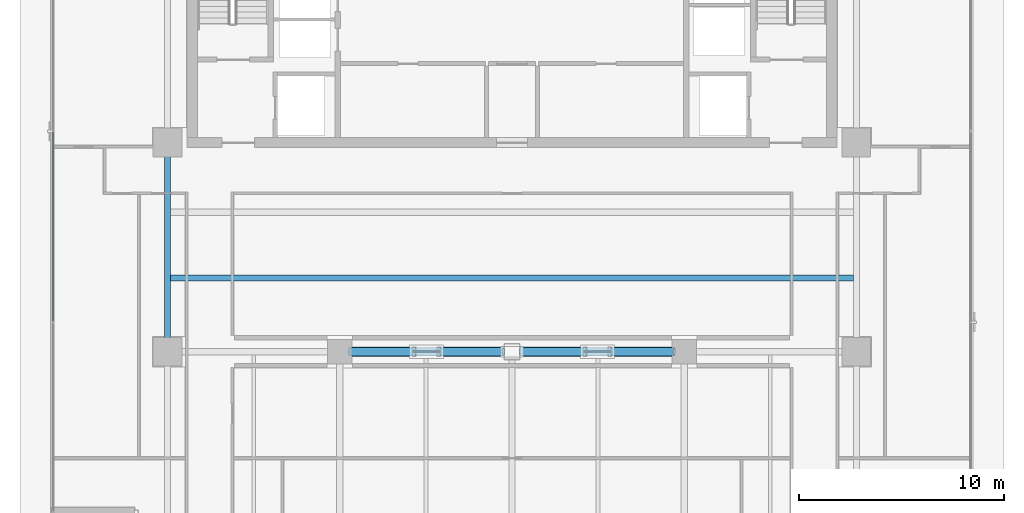
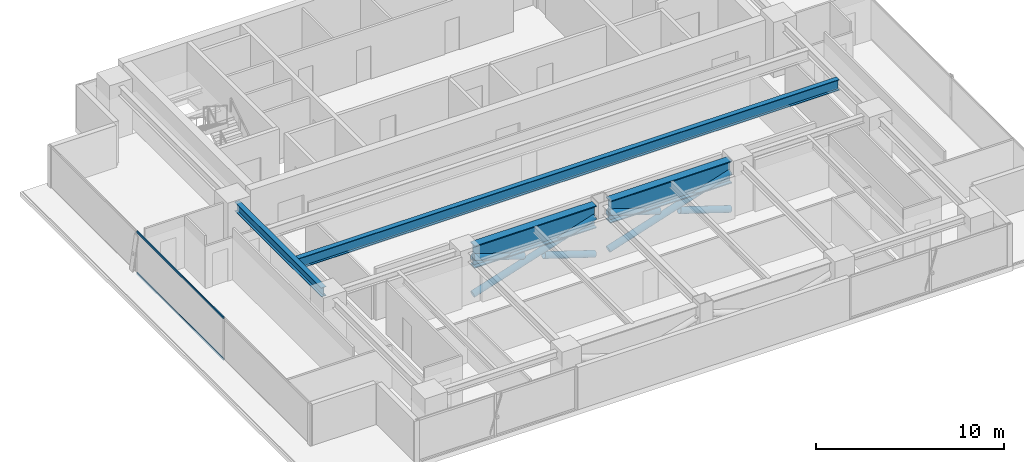
# One storey, part 7 of 27: 8 members, 4 beams, 1 element without a shape of its own.
"""IFC4 building model written with IfcOpenShell, lengths in metres."""

from ifc_helpers import new_model, si_unit, direction, frame, origin, origin_2d, place, context, subcontext, project, spatial, hollow_rectangle, hollow_circle, i_section, extrude, source, transform, mapped, material, layer, layer_set, material_profile, profile_set, type_object, element, aggregate, save


model = new_model("IFC4")

# Units and contexts
model_context = context("Model", 3, precision=1e-05, world=origin(), true_north=direction((0.0, 1.0)))
body_context = subcontext(model_context, "Body", "Model", "MODEL_VIEW")
ifc_project = project(units=[si_unit("LENGTHUNIT", "METRE"), si_unit("AREAUNIT", "SQUARE_METRE"), si_unit("VOLUMEUNIT", "CUBIC_METRE"), si_unit("PLANEANGLEUNIT", "RADIAN"), si_unit("MASSUNIT", "GRAM", prefix="KILO")], contexts=[model_context])

# Site, building, storey
site_placement = place(None, origin())
site = spatial("IfcSite", under=ifc_project, at=site_placement, CompositionType="ELEMENT")
building_placement = place(site_placement, origin())
building = spatial("IfcBuilding", under=site, at=building_placement, Name="Sumidabori Civic Tower", CompositionType="ELEMENT")
storey_placement = place(building_placement, frame((0.0, 0.0, 228.800048828125)))
storey = spatial("IfcBuildingStorey", under=building, at=storey_placement, Name="L59", CompositionType="ELEMENT", Elevation=228.800048828125)

# Beams
ifc_material_1 = material(Name="Steel SN490", Category="steel")
ifc_material_profile_1 = material_profile(ifc_material_1, i_section(OverallWidth=0.300048828125, OverallDepth=0.60009765625, WebThickness=0.015380859375, FlangeThickness=0.030029296875, at=origin_2d()), Name="HE 600 B")
ifc_profile_set_1 = profile_set([ifc_material_profile_1], Name="Steel SN490")
beam_type_1 = type_object("IfcBeamType", Name="BM-GIRD-600", PredefinedType="BEAM", material=ifc_profile_set_1)
shared_shape_1 = source(origin(), body_context, "Body", "SweptSolid", [
    extrude(i_section(OverallWidth=0.300048828125, OverallDepth=0.60009765625, WebThickness=0.015380859375, FlangeThickness=0.030029296875, at=origin_2d()), origin(), (0.0, 0.0, 1.0), 9.239990234375),
])
beam_1_placement = place(storey_placement, frame((-16.800048828125, 0.47998046875, 3.070068359375), z_axis=(0.0, 1.0, 0.0), x_axis=(-1.0, 0.0, 0.0)))
element("IfcBeam", 1, at=beam_1_placement, inside=storey, type_object=beam_type_1, Name="Primary Girder L59 GY-06", PredefinedType="BEAM", context=body_context, shape_type="MappedRepresentation", body=[
    mapped(shared_shape_1, transform((0.0, 0.0, 0.0), x_axis=(1.0, 0.0, 0.0), y_axis=(0.0, 1.0, 0.0), z_axis=(0.0, 0.0, 1.0), scale=1.0)),
])
ifc_material_profile_2 = material_profile(ifc_material_1, i_section(OverallWidth=0.300048828125, OverallDepth=0.699951171875, WebThickness=0.01708984375, FlangeThickness=0.031982421875, at=origin_2d()), Name="HE 700 B")
ifc_profile_set_2 = profile_set([ifc_material_profile_2], Name="Steel SN490")
beam_type_2 = type_object("IfcBeamType", Name="BM-GIRD-700", PredefinedType="BEAM", material=ifc_profile_set_2)
shared_shape_2 = source(origin(), body_context, "Body", "SweptSolid", [
    extrude(i_section(OverallWidth=0.300048828125, OverallDepth=0.699951171875, WebThickness=0.01708984375, FlangeThickness=0.031982421875, at=origin_2d()), origin(), (0.0, 0.0, 1.0), 33.2998046875),
])
beam_2_placement = place(storey_placement, frame((-16.64990234375, 3.60009765625, 3.02001953125), z_axis=(1.0, 0.0, 0.0), x_axis=(0.0, 1.0, 0.0)))
element("IfcBeam", 2, at=beam_2_placement, inside=storey, type_object=beam_type_2, Name="North Bay Floor Beam L59 JSTN-14", PredefinedType="BEAM", context=body_context, shape_type="MappedRepresentation", body=[
    mapped(shared_shape_2, transform((0.0, 0.0, 0.0), x_axis=(1.0, 0.0, 0.0), y_axis=(0.0, 1.0, 0.0), z_axis=(0.0, 0.0, 1.0), scale=1.0)),
])
ifc_material_2 = material(Name="Steel SM570", Category="steel")
ifc_material_profile_3 = material_profile(ifc_material_2, i_section(OverallWidth=0.47998046875, OverallDepth=1.449951171875, WebThickness=0.033935546875, FlangeThickness=0.06005859375, at=origin_2d()), Name="WTG 1450x480")
ifc_profile_set_3 = profile_set([ifc_material_profile_3], Name="Steel SM570")
beam_type_3 = type_object("IfcBeamType", Name="BM-PT-CHORD", PredefinedType="BEAM", material=ifc_profile_set_3)
shared_shape_3 = source(origin(), body_context, "Body", "SweptSolid", [
    extrude(i_section(OverallWidth=0.47998046875, OverallDepth=1.449951171875, WebThickness=0.033935546875, FlangeThickness=0.06005859375, at=origin_2d()), origin(), (0.0, 0.0, 1.0), 7.5),
])
for number, where, z_axis, x_axis, name in (
    (3, (-7.919921875, 0.0, 2.64501953125), (1.0, 0.0, 0.0), (0.0, 1.0, 0.0), "Portal Bridge Transfer Truss Top Chord PT2-T1"),
    (4, (0.419921875, 0.0, 2.64501953125), (1.0, 0.0, 0.0), (0.0, 1.0, 0.0), "Portal Bridge Transfer Truss Top Chord PT2-T2"),
):
    element("IfcBeam", number, at=place(storey_placement, frame(where, z_axis=z_axis, x_axis=x_axis)), inside=storey, type_object=beam_type_3, Name=name, PredefinedType="BEAM", context=body_context, shape_type="MappedRepresentation", body=[
        mapped(shared_shape_3, transform((0.0, 0.0, 0.0), x_axis=(1.0, 0.0, 0.0), y_axis=(0.0, 1.0, 0.0), z_axis=(0.0, 0.0, 1.0), scale=1.0)),
    ])

# Members
ifc_material_profile_4 = material_profile(ifc_material_1, hollow_circle(Radius=0.203125, WallThickness=0.02001953125, at=origin_2d()), Name="CHS 406.4x20")
ifc_profile_set_4 = profile_set([ifc_material_profile_4], Name="Steel SN490")
member_type_1 = type_object("IfcMemberType", Name="MB-PT-DIAG", PredefinedType="BRACE", material=ifc_profile_set_4)
shared_shape_4 = source(origin(), body_context, "Body", "SweptSolid", [
    extrude(hollow_circle(Radius=0.203125, WallThickness=0.02001953125, at=origin_2d()), origin(), (0.0, 0.0, 1.0), 7.88232421875),
])
for number, where, z_axis, x_axis, name in (
    (5, (-7.919921875, 0.0, 0.099853515625), (0.951497331226, 0.0, 0.307656998407), (0.0, 1.0, 0.0), "Portal Bridge Truss Diagonal PT2-D1-1"),
    (6, (0.419921875, 0.0, 0.099853515625), (0.951497331226, 0.0, 0.307656998407), (0.0, 1.0, 0.0), "Portal Bridge Truss Diagonal PT2-D1-2"),
):
    element("IfcMember", number, at=place(storey_placement, frame(where, z_axis=z_axis, x_axis=x_axis)), inside=storey, type_object=member_type_1, Name=name, PredefinedType="BRACE", context=body_context, shape_type="MappedRepresentation", body=[
        mapped(shared_shape_4, transform((0.0, 0.0, 0.0), x_axis=(1.0, 0.0, 0.0), y_axis=(0.0, 1.0, 0.0), z_axis=(0.0, 0.0, 1.0), scale=1.0)),
    ])
shared_shape_5 = source(origin(), body_context, "Body", "SweptSolid", [
    extrude(hollow_circle(Radius=0.203125, WallThickness=0.02001953125, at=origin_2d()), origin(), (0.0, 0.0, 1.0), 3.2919921875),
])
for number, where, z_axis, x_axis, name in (
    (7, (-7.919921875, 0.0, 2.52490234375), (0.951507104485, 0.0, -0.307626770803), (0.0, 1.0, 0.0), "Portal Bridge Truss Diagonal PT2-D2-1 Lower Segment"),
    (8, (4.78759765625, 0.0, 1.11279296875), (0.951485394525, 0.0, -0.307693912851), (0.0, 1.0, 0.0), "Portal Bridge Truss Diagonal PT2-D2-2 Upper Segment"),
):
    element("IfcMember", number, at=place(storey_placement, frame(where, z_axis=z_axis, x_axis=x_axis)), inside=storey, type_object=member_type_1, Name=name, PredefinedType="BRACE", context=body_context, shape_type="MappedRepresentation", body=[
        mapped(shared_shape_5, transform((0.0, 0.0, 0.0), x_axis=(1.0, 0.0, 0.0), y_axis=(0.0, 1.0, 0.0), z_axis=(0.0, 0.0, 1.0), scale=1.0)),
    ])
shared_shape_6 = source(origin(), body_context, "Body", "SweptSolid", [
    extrude(hollow_circle(Radius=0.203125, WallThickness=0.02001953125, at=origin_2d()), origin(), (0.0, 0.0, 1.0), 3.292236328125),
])
for number, where, z_axis, x_axis, name in (
    (9, (-3.552490234375, 0.0, 1.11279296875), (0.951492415013, 0.0, -0.30767220247), (0.0, 1.0, 0.0), "Portal Bridge Truss Diagonal PT2-D2-1 Upper Segment"),
    (10, (0.419921875, 0.0, 2.52490234375), (0.95151412207, 0.0, -0.307605064168), (0.0, 1.0, 0.0), "Portal Bridge Truss Diagonal PT2-D2-2 Lower Segment"),
):
    element("IfcMember", number, at=place(storey_placement, frame(where, z_axis=z_axis, x_axis=x_axis)), inside=storey, type_object=member_type_1, Name=name, PredefinedType="BRACE", context=body_context, shape_type="MappedRepresentation", body=[
        mapped(shared_shape_6, transform((0.0, 0.0, 0.0), x_axis=(1.0, 0.0, 0.0), y_axis=(0.0, 1.0, 0.0), z_axis=(0.0, 0.0, 1.0), scale=1.0)),
    ])

# Curtain wall, members
ifc_material_3 = material(Name="Anodised Bronze Aluminium AW-6063-T6", Category="aluminium")
ifc_layer = layer(ifc_material_3, 0.179931640625, Name="Anodised Bronze Aluminium AW-6063-T6")
ifc_layer_set = layer_set([ifc_layer], Name="Anodised Bronze Aluminium AW-6063-T6")
curtain_wall_type = type_object("IfcCurtainWallType", Name="CW-SYS-5", PredefinedType="NOTDEFINED", material=ifc_layer_set)
curtain_wall_placement = place(storey_placement, origin())
curtain_wall = element("IfcCurtainWall", 11, at=curtain_wall_placement, inside=storey, type_object=curtain_wall_type, Name="Curtain Wall CW:L59:R11", PredefinedType="NOTDEFINED")
ifc_material_profile_5 = material_profile(ifc_material_3, hollow_rectangle(XDim=0.06005859375, YDim=0.1298828125, WallThickness=0.0048828125, at=origin_2d()), Name="ALU TRANSOM 130x60")
ifc_profile_set_5 = profile_set([ifc_material_profile_5], Name="Anodised Bronze Aluminium AW-6063-T6")
member_type_2 = type_object("IfcMemberType", Name="CW-TRN-130", PredefinedType="USERDEFINED", material=ifc_profile_set_5)
shared_shape_7 = source(origin(), body_context, "Body", "SweptSolid", [
    extrude(hollow_rectangle(XDim=0.06005859375, YDim=0.1298828125, WallThickness=0.0048828125, at=origin_2d()), origin(), (0.0, 0.0, 1.0), 9.253173828125),
])
member_1_placement = place(storey_placement, frame((-22.3798828125, 10.7265625, 0.030029296875), z_axis=(0.0, -1.0, 0.0), x_axis=(1.0, 0.0, 0.0)))
member_1 = element("IfcMember", 12, at=member_1_placement, type_object=member_type_2, Name="CW-5 transom 2.1", ObjectType="TRANSOM", PredefinedType="USERDEFINED", context=body_context, shape_type="MappedRepresentation", body=[
    mapped(shared_shape_7, transform((0.0, 0.0, 0.0), x_axis=(1.0, 0.0, 0.0), y_axis=(0.0, 1.0, 0.0), z_axis=(0.0, 0.0, 1.0), scale=1.0)),
])
member_2_placement = place(storey_placement, frame((-22.3798828125, 10.7265625, 2.719970703125), z_axis=(0.0, -1.0, 0.0), x_axis=(1.0, 0.0, 0.0)))
member_2 = element("IfcMember", 13, at=member_2_placement, type_object=member_type_2, Name="CW-5 transom 2.2", ObjectType="TRANSOM", PredefinedType="USERDEFINED", context=body_context, shape_type="MappedRepresentation", body=[
    mapped(shared_shape_7, transform((0.0, 0.0, 0.0), x_axis=(1.0, 0.0, 0.0), y_axis=(0.0, 1.0, 0.0), z_axis=(0.0, 0.0, 1.0), scale=1.0)),
])
aggregate(curtain_wall, [member_1, member_2])

save(model, "model.ifc")
